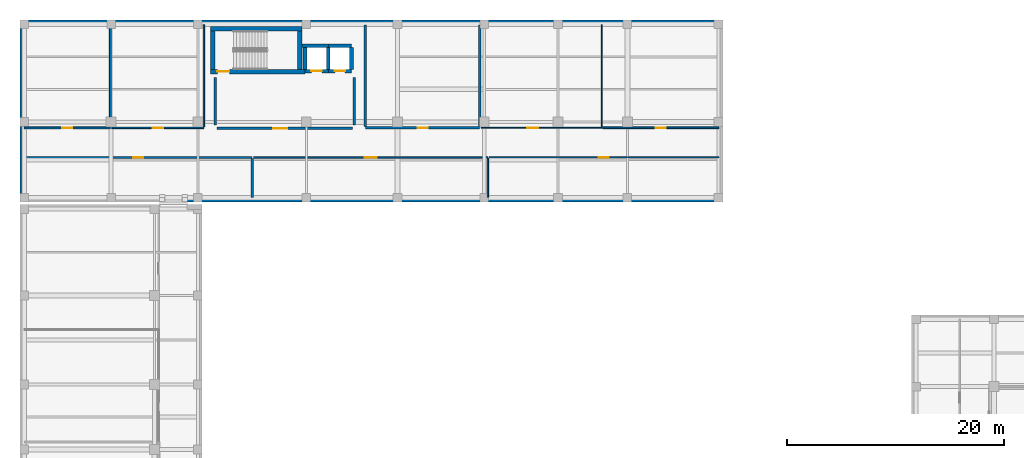
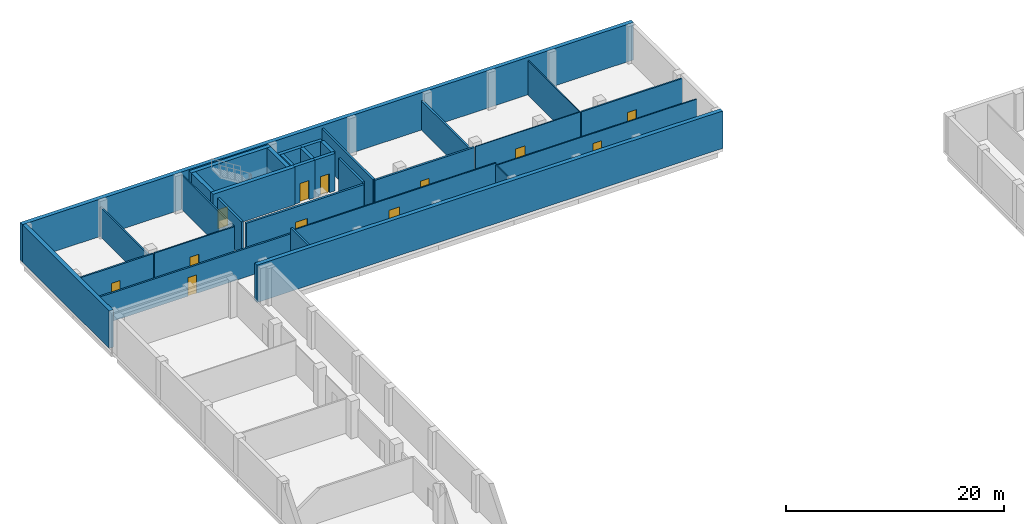
# One storey, part 21 of 31: 32 walls, 12 doors, 12 openings.
"""IFC4 building model written with IfcOpenShell, lengths in metres."""

from ifc_helpers import new_model, si_unit, direction, frame, frame_2d, origin, place, context, subcontext, project, spatial, rectangle, extrude, material, layer, layer_set, type_object, element, fill, save


model = new_model("IFC4")

# Units and contexts
model_context = context("Model", 3, precision=1e-05, world=origin(), true_north=direction((0.0, 1.0)))
body_context = subcontext(model_context, "Body", "Model", "MODEL_VIEW")
ifc_project = project(units=[si_unit("LENGTHUNIT", "METRE"), si_unit("AREAUNIT", "SQUARE_METRE"), si_unit("VOLUMEUNIT", "CUBIC_METRE"), si_unit("PLANEANGLEUNIT", "RADIAN"), si_unit("MASSUNIT", "GRAM", prefix="KILO")], contexts=[model_context])

# Site, building, storey
site_placement = place(None, origin())
site = spatial("IfcSite", under=ifc_project, at=site_placement, CompositionType="ELEMENT")
building_placement = place(site_placement, origin())
building = spatial("IfcBuilding", under=site, at=building_placement, Name="Qalavern Law Courts", CompositionType="ELEMENT")
storey_placement = place(building_placement, frame((0.0, 0.0, -4.199951171875)))
storey = spatial("IfcBuildingStorey", under=building, at=storey_placement, Name="B1", CompositionType="ELEMENT", Elevation=-4.199951171875)

# Walls
ifc_material_1 = material(Name="Concrete C35/45", Category="concrete")
ifc_layer_1 = layer(ifc_material_1, 0.429931640625)
ifc_layer_set_1 = layer_set([ifc_layer_1], Name="Concrete C35/45")
wall_type_1 = type_object("IfcWallType", Name="ENV-EW-RET430", PredefinedType="SOLIDWALL", material=ifc_layer_set_1)
wall_1_placement = place(storey_placement, frame((17.39990234375, 96.4150390625, 0.0), z_axis=(0.0, 0.0, 1.0), x_axis=(1.0, 0.0, 0.0)))
element("IfcWall", 1, at=wall_1_placement, inside=storey, type_object=wall_type_1, Name="V5 basement retaining wall B1 south", PredefinedType="SOLIDWALL", context=body_context, shape_type="SweptSolid", body=[
    extrude(rectangle(XDim=49.400146484375, YDim=0.429931640625, at=frame_2d((24.7001953125, 0.0))), origin(), (0.0, 0.0, 1.0), 4.199951171875),
])
wall_2_placement = place(storey_placement, frame((66.800048828125, 112.784912109375, 0.0), z_axis=(0.0, 0.0, 1.0), x_axis=(-1.0, 0.0, 0.0)))
element("IfcWall", 2, at=wall_2_placement, inside=storey, type_object=wall_type_1, Name="V5 basement retaining wall B1 north", PredefinedType="SOLIDWALL", context=body_context, shape_type="SweptSolid", body=[
    extrude(rectangle(XDim=64.800048828125, YDim=0.429931640625, at=frame_2d((32.39990234375, 0.0))), origin(), (0.0, 0.0, 1.0), 4.199951171875),
])
wall_3_placement = place(storey_placement, frame((2.215087890625, 112.574951171875, 0.0), z_axis=(0.0, 0.0, 1.0), x_axis=(0.0, -1.0, 0.0)))
element("IfcWall", 3, at=wall_3_placement, inside=storey, type_object=wall_type_1, Name="V5 basement retaining wall B1 west", PredefinedType="SOLIDWALL", context=body_context, shape_type="SweptSolid", body=[
    extrude(rectangle(XDim=15.949951171875, YDim=0.429931640625, at=frame_2d((7.97509765625, 0.0))), origin(), (0.0, 0.0, 1.0), 4.199951171875),
])

# Wall, opening, door
ifc_material_2 = material(Name="Concrete C45/55", Category="concrete")
ifc_layer_2 = layer(ifc_material_2, 0.4150390625)
ifc_layer_set_2 = layer_set([ifc_layer_2], Name="Concrete C45/55")
wall_type_2 = type_object("IfcWallType", Name="INT-CW-415", PredefinedType="SHEAR", material=ifc_layer_set_2)
wall_4_placement = place(storey_placement, frame((19.5849609375, 108.242431640625, 0.0), z_axis=(0.0, 0.0, 1.0), x_axis=(1.0, 0.0, 0.0)))
wall_4 = element("IfcWall", 4, at=wall_4_placement, inside=storey, type_object=wall_type_2, Name="Core K3 stair shear wall B1 south", PredefinedType="SHEAR", context=body_context, shape_type="SweptSolid", body=[
    extrude(rectangle(XDim=8.689453125, YDim=0.4150390625, at=frame_2d((4.3447265625, 0.0))), origin(), (0.0, 0.0, 1.0), 4.199951171875),
])
opening_1_placement = place(wall_4_placement, frame((0.614990234375, 0.0, 0.0)))
opening_1 = element("IfcOpeningElement", 5, at=opening_1_placement, cuts=wall_4, Name="Opening B1-D071", PredefinedType="OPENING", context=body_context, shape_type="SweptSolid", body=[
    extrude(rectangle(XDim=1.10009765625, YDim=2.14990234375, at=frame_2d((0.550048828125, 1.074951171875))), frame((0.0, 0.222412109375, 0.0), z_axis=(0.0, -1.0, 0.0), x_axis=(1.0, 0.0, 0.0)), (0.0, 0.0, 1.0), 0.44482421875),
])
ifc_material_3 = material(Name="Steel fire-rated stair enclosure door", Category="steel")
door_type_1 = type_object("IfcDoorType", Name="INT-FD-1100x2150", OperationType="NOTDEFINED", PredefinedType="DOOR", material=ifc_material_3)
door_1_placement = place(opening_1_placement, frame((1.10009765625, 0.0, 0.0), z_axis=(0.0, 0.0, 1.0), x_axis=(-1.0, 0.0, 0.0)))
door_1 = element("IfcDoor", 6, at=door_1_placement, inside=storey, type_object=door_type_1, Name="Stair K3 fire door B1", OperationType="SINGLE_SWING_RIGHT", OverallHeight=2.14990234375, OverallWidth=1.10009765625, PredefinedType="DOOR", context=body_context, shape_type="SweptSolid", body=[
    extrude(rectangle(XDim=1.10009765625, YDim=2.14990234375, at=frame_2d((0.550048828125, 1.074951171875))), frame((0.0, 0.02490234375, 0.0), z_axis=(0.0, -1.0, 0.0), x_axis=(1.0, 0.0, 0.0)), (0.0, 0.0, 1.0), 0.050048828125),
])
fill(opening_1, door_1)

# Walls
wall_5_placement = place(storey_placement, frame((27.8076171875, 108.449951171875, 0.0), z_axis=(0.0, 0.0, 1.0), x_axis=(0.0, 1.0, 0.0)))
element("IfcWall", 7, at=wall_5_placement, inside=storey, type_object=wall_type_2, Name="Core K3 stair shear wall B1 east", PredefinedType="SHEAR", context=body_context, shape_type="SweptSolid", body=[
    extrude(rectangle(XDim=3.550048828125, YDim=0.4150390625, at=frame_2d((1.77490234375, 0.0))), origin(), (0.0, 0.0, 1.0), 4.199951171875),
])
wall_6_placement = place(storey_placement, frame((28.014892578125, 112.20751953125, 0.0), z_axis=(0.0, 0.0, 1.0), x_axis=(-1.0, 0.0, 0.0)))
element("IfcWall", 8, at=wall_6_placement, inside=storey, type_object=wall_type_2, Name="Core K3 stair shear wall B1 north", PredefinedType="SHEAR", context=body_context, shape_type="SweptSolid", body=[
    extrude(rectangle(XDim=8.429931640625, YDim=0.4150390625, at=frame_2d((4.21484375, 0.0))), origin(), (0.0, 0.0, 1.0), 4.199951171875),
])
wall_7_placement = place(storey_placement, frame((19.79248046875, 112.0, 0.0), z_axis=(0.0, 0.0, 1.0), x_axis=(0.0, -1.0, 0.0)))
element("IfcWall", 9, at=wall_7_placement, inside=storey, type_object=wall_type_2, Name="Core K3 stair shear wall B1 west", PredefinedType="SHEAR", context=body_context, shape_type="SweptSolid", body=[
    extrude(rectangle(XDim=3.550048828125, YDim=0.4150390625, at=frame_2d((1.77490234375, 0.0))), origin(), (0.0, 0.0, 1.0), 4.199951171875),
])

# Wall, opening, door
ifc_material_4 = material(Name="Concrete C40/50", Category="concrete")
ifc_layer_3 = layer(ifc_material_4, 0.22509765625)
ifc_layer_set_3 = layer_set([ifc_layer_3], Name="Concrete C40/50")
wall_type_3 = type_object("IfcWallType", Name="INT-FW-225", PredefinedType="PARTITIONING", material=ifc_layer_set_3)
wall_8_placement = place(storey_placement, frame((20.14990234375, 103.0, 0.0), z_axis=(0.0, 0.0, 1.0), x_axis=(1.0, 0.0, 0.0)))
wall_8 = element("IfcWall", 10, at=wall_8_placement, inside=storey, type_object=wall_type_3, Name="Core K3 firefighting/stair lobby fire wall B1", PredefinedType="PARTITIONING", context=body_context, shape_type="SweptSolid", body=[
    extrude(rectangle(XDim=12.5, YDim=0.22509765625, at=frame_2d((6.25, 0.0))), origin(), (0.0, 0.0, 1.0), 3.85986328125),
])
opening_2_placement = place(wall_8_placement, frame((5.199951171875, 0.0, 0.0)))
opening_2 = element("IfcOpeningElement", 11, at=opening_2_placement, cuts=wall_8, Name="Opening B1-D072", PredefinedType="OPENING", context=body_context, shape_type="SweptSolid", body=[
    extrude(rectangle(XDim=1.300048828125, YDim=2.14990234375, at=frame_2d((0.64990234375, 1.074951171875))), frame((0.0, 0.12744140625, 0.0), z_axis=(0.0, -1.0, 0.0), x_axis=(1.0, 0.0, 0.0)), (0.0, 0.0, 1.0), 0.2548828125),
])
ifc_material_5 = material(Name="Steel fire-rated frame and acoustic timber leaves", Category="steel")
door_type_2 = type_object("IfcDoorType", Name="INT-FD-1300x2150", OperationType="DOUBLE_DOOR_SINGLE_SWING", PredefinedType="DOOR", material=ifc_material_5)
door_2_placement = place(opening_2_placement, origin())
door_2 = element("IfcDoor", 12, at=door_2_placement, inside=storey, type_object=door_type_2, Name="Core K3 lobby fire door B1", OperationType="DOUBLE_DOOR_SINGLE_SWING", OverallHeight=2.14990234375, OverallWidth=1.300048828125, PredefinedType="DOOR", context=body_context, shape_type="SweptSolid", body=[
    extrude(rectangle(XDim=1.300048828125, YDim=2.14990234375, at=frame_2d((0.64990234375, 1.074951171875))), frame((0.0, 0.02490234375, 0.0), z_axis=(0.0, -1.0, 0.0), x_axis=(1.0, 0.0, 0.0)), (0.0, 0.0, 1.0), 0.050048828125),
])
fill(opening_2, door_2)

# Walls
for number, where, z_axis, x_axis, name in (
    (13, (20.0, 103.300048828125, 0.0), (0.0, 0.0, 1.0), (0.0, 1.0, 0.0), "Core K3 lobby return wall B1 west"),
    (14, (32.800048828125, 103.300048828125, 0.0), (0.0, 0.0, 1.0), (0.0, 1.0, 0.0), "Core K3 lobby return wall B1 east"),
):
    element("IfcWall", number, at=place(storey_placement, frame(where, z_axis=z_axis, x_axis=x_axis)), inside=storey, type_object=wall_type_3, Name=name, PredefinedType="PARTITIONING", context=body_context, shape_type="SweptSolid", body=[
        extrude(rectangle(XDim=4.39990234375, YDim=0.22509765625, at=frame_2d((2.199951171875, 0.0))), origin(), (0.0, 0.0, 1.0), 3.85986328125),
    ])

# Wall, opening, door
ifc_material_6 = material(Name="Gypsum sanitary partition")
ifc_layer_4 = layer(ifc_material_6, 0.10205078125)
ifc_layer_set_4 = layer_set([ifc_layer_4], Name="Gypsum sanitary partition")
wall_type_4 = type_object("IfcWallType", Name="INT-PW-102", PredefinedType="PARTITIONING", material=ifc_layer_set_4)
wall_9_placement = place(storey_placement, frame((44.5048828125, 103.06005859375, 0.0), z_axis=(0.0, 0.0, 1.0), x_axis=(1.0, 0.0, 0.0)))
wall_9 = element("IfcWall", 15, at=wall_9_placement, inside=storey, type_object=wall_type_4, Name="Library Technical Processing corridor partition B1", PredefinedType="PARTITIONING", context=body_context, shape_type="SweptSolid", body=[
    extrude(rectangle(XDim=11.113037109375, YDim=0.10205078125, at=frame_2d((5.556640625, 0.0))), origin(), (0.0, 0.0, 1.0), 3.85986328125),
])
opening_3_placement = place(wall_9_placement, frame((4.241455078125, 0.0, 0.0)))
opening_3 = element("IfcOpeningElement", 16, at=opening_3_placement, cuts=wall_9, Name="Opening B1-D330", PredefinedType="OPENING", context=body_context, shape_type="SweptSolid", body=[
    extrude(rectangle(XDim=1.030029296875, YDim=2.110107421875, at=frame_2d((0.51513671875, 1.05517578125))), frame((0.0, 0.06591796875, 0.0), z_axis=(0.0, -1.0, 0.0), x_axis=(1.0, 0.0, 0.0)), (0.0, 0.0, 1.0), 0.1318359375),
])
ifc_material_7 = material(Name="Oak Mediation Suite door")
door_type_3 = type_object("IfcDoorType", Name="INT-ID-1030x2110", OperationType="NOTDEFINED", PredefinedType="DOOR", material=ifc_material_7)
door_3_placement = place(opening_3_placement, origin())
door_3 = element("IfcDoor", 17, at=door_3_placement, inside=storey, type_object=door_type_3, Name="Library Technical Processing door B1", OperationType="SINGLE_SWING_LEFT", OverallHeight=2.110107421875, OverallWidth=1.030029296875, PredefinedType="DOOR", context=body_context, shape_type="SweptSolid", body=[
    extrude(rectangle(XDim=1.030029296875, YDim=2.110107421875, at=frame_2d((0.51513671875, 1.05517578125))), frame((0.0, 0.02490234375, 0.0), z_axis=(0.0, -1.0, 0.0), x_axis=(1.0, 0.0, 0.0)), (0.0, 0.0, 1.0), 0.050048828125),
])
fill(opening_3, door_3)

# Wall
wall_10_placement = place(storey_placement, frame((55.617919921875, 103.131103515625, 0.0), z_axis=(0.0, 0.0, 1.0), x_axis=(0.0, 1.0, 0.0)))
element("IfcWall", 18, at=wall_10_placement, inside=storey, type_object=wall_type_4, Name="Library Technical Processing cross partition B1 east", PredefinedType="PARTITIONING", context=body_context, shape_type="SweptSolid", body=[
    extrude(rectangle(XDim=9.428955078125, YDim=0.10205078125, at=frame_2d((4.71435546875, 0.0))), origin(), (0.0, 0.0, 1.0), 3.85986328125),
])

# Wall, opening, door
ifc_material_8 = material(Name="Gypsum stud partition")
ifc_layer_5 = layer(ifc_material_8, 0.1220703125)
ifc_layer_set_5 = layer_set([ifc_layer_5], Name="Gypsum stud partition")
wall_type_5 = type_object("IfcWallType", Name="INT-PW-122", PredefinedType="PARTITIONING", material=ifc_layer_set_5)
wall_11_placement = place(storey_placement, frame((45.2509765625, 100.340087890625, 0.0), z_axis=(0.0, 0.0, 1.0), x_axis=(1.0, 0.0, 0.0)))
wall_11 = element("IfcWall", 19, at=wall_11_placement, inside=storey, type_object=wall_type_5, Name="Staff WC corridor partition B1", PredefinedType="PARTITIONING", context=body_context, shape_type="SweptSolid", body=[
    extrude(rectangle(XDim=21.1689453125, YDim=0.1220703125, at=frame_2d((10.58447265625, 0.0))), origin(), (0.0, 0.0, 1.0), 3.18994140625),
])
opening_4_placement = place(wall_11_placement, frame((10.12451171875, 0.0, 0.0)))
opening_4 = element("IfcOpeningElement", 20, at=opening_4_placement, cuts=wall_11, Name="Opening B1-D328", PredefinedType="OPENING", context=body_context, shape_type="SweptSolid", body=[
    extrude(rectangle(XDim=0.919921875, YDim=2.06005859375, at=frame_2d((0.4599609375, 1.030029296875))), frame((0.0, 0.075927734375, 0.0), z_axis=(0.0, -1.0, 0.0), x_axis=(1.0, 0.0, 0.0)), (0.0, 0.0, 1.0), 0.15185546875),
])
ifc_material_9 = material(Name="Public and Staff WC door")
door_type_4 = type_object("IfcDoorType", Name="INT-ID-920x2060", OperationType="NOTDEFINED", PredefinedType="DOOR", material=ifc_material_9)
door_4_placement = place(opening_4_placement, frame((0.919921875, 0.0, 0.0), z_axis=(0.0, 0.0, 1.0), x_axis=(-1.0, 0.0, 0.0)))
door_4 = element("IfcDoor", 21, at=door_4_placement, inside=storey, type_object=door_type_4, Name="Staff WC door B1", OperationType="SINGLE_SWING_LEFT", OverallHeight=2.06005859375, OverallWidth=0.919921875, PredefinedType="DOOR", context=body_context, shape_type="SweptSolid", body=[
    extrude(rectangle(XDim=0.919921875, YDim=2.06005859375, at=frame_2d((0.4599609375, 1.030029296875))), frame((0.0, 0.02490234375, 0.0), z_axis=(0.0, -1.0, 0.0), x_axis=(1.0, 0.0, 0.0)), (0.0, 0.0, 1.0), 0.050048828125),
])
fill(opening_4, door_4)

ifc_layer_6 = layer(ifc_material_8, 0.132080078125)
ifc_layer_set_6 = layer_set([ifc_layer_6], Name="Gypsum stud partition")
wall_type_6 = type_object("IfcWallType", Name="INT-PW-132", PredefinedType="PARTITIONING", material=ifc_layer_set_6)
wall_12_placement = place(storey_placement, frame((23.531982421875, 100.340087890625, 0.0), z_axis=(0.0, 0.0, 1.0), x_axis=(1.0, 0.0, 0.0)))
wall_12 = element("IfcWall", 22, at=wall_12_placement, inside=storey, type_object=wall_type_6, Name="Library Technical Processing corridor partition B1", PredefinedType="PARTITIONING", context=body_context, shape_type="SweptSolid", body=[
    extrude(rectangle(XDim=21.59912109375, YDim=0.132080078125, at=frame_2d((10.799560546875, 0.0))), origin(), (0.0, 0.0, 1.0), 3.47998046875),
])
opening_5_placement = place(wall_12_placement, frame((10.239501953125, 0.0, 0.0)))
opening_5 = element("IfcOpeningElement", 23, at=opening_5_placement, cuts=wall_12, Name="Opening B1-D327", PredefinedType="OPENING", context=body_context, shape_type="SweptSolid", body=[
    extrude(rectangle(XDim=1.1201171875, YDim=2.139892578125, at=frame_2d((0.56005859375, 1.06982421875))), frame((0.0, 0.0810546875, 0.0), z_axis=(0.0, -1.0, 0.0), x_axis=(1.0, 0.0, 0.0)), (0.0, 0.0, 1.0), 0.161865234375),
])
ifc_material_10 = material(Name="Solid oak Appellate Chambers door")
door_type_5 = type_object("IfcDoorType", Name="INT-ID-1120x2140", OperationType="NOTDEFINED", PredefinedType="DOOR", material=ifc_material_10)
door_5_placement = place(opening_5_placement, frame((1.1201171875, 0.0, 0.0), z_axis=(0.0, 0.0, 1.0), x_axis=(-1.0, 0.0, 0.0)))
door_5 = element("IfcDoor", 24, at=door_5_placement, inside=storey, type_object=door_type_5, Name="Library Technical Processing door B1", OperationType="SINGLE_SWING_RIGHT", OverallHeight=2.139892578125, OverallWidth=1.1201171875, PredefinedType="DOOR", context=body_context, shape_type="SweptSolid", body=[
    extrude(rectangle(XDim=1.1201171875, YDim=2.139892578125, at=frame_2d((0.56005859375, 1.06982421875))), frame((0.0, 0.02490234375, 0.0), z_axis=(0.0, -1.0, 0.0), x_axis=(1.0, 0.0, 0.0)), (0.0, 0.0, 1.0), 0.050048828125),
])
fill(opening_5, door_5)

# Wall
wall_13_placement = place(storey_placement, frame((45.131103515625, 96.639892578125, 0.0), z_axis=(0.0, 0.0, 1.0), x_axis=(0.0, 1.0, 0.0)))
element("IfcWall", 25, at=wall_13_placement, inside=storey, type_object=wall_type_6, Name="Library Technical Processing cross partition B1 east", PredefinedType="PARTITIONING", context=body_context, shape_type="SweptSolid", body=[
    extrude(rectangle(XDim=3.614013671875, YDim=0.132080078125, at=frame_2d((1.80712890625, 0.0))), origin(), (0.0, 0.0, 1.0), 3.2900390625),
])

# Wall, opening, door
ifc_layer_7 = layer(ifc_material_8, 0.14208984375)
ifc_layer_set_7 = layer_set([ifc_layer_7], Name="Gypsum stud partition")
wall_type_7 = type_object("IfcWallType", Name="INT-PW-142", PredefinedType="PARTITIONING", material=ifc_layer_set_7)
wall_14_placement = place(storey_placement, frame((10.455078125, 103.06005859375, 0.0), z_axis=(0.0, 0.0, 1.0), x_axis=(1.0, 0.0, 0.0)))
wall_14 = element("IfcWall", 26, at=wall_14_placement, inside=storey, type_object=wall_type_7, Name="Library Technical Processing corridor partition B1", PredefinedType="PARTITIONING", context=body_context, shape_type="SweptSolid", body=[
    extrude(rectangle(XDim=8.5048828125, YDim=0.14208984375, at=frame_2d((4.25244140625, 0.0))), origin(), (0.0, 0.0, 1.0), 3.85986328125),
])
opening_6_placement = place(wall_14_placement, frame((3.7724609375, 0.0, 0.0)))
opening_6 = element("IfcOpeningElement", 27, at=opening_6_placement, cuts=wall_14, Name="Opening B1-D333", PredefinedType="OPENING", context=body_context, shape_type="SweptSolid", body=[
    extrude(rectangle(XDim=0.9599609375, YDim=2.080078125, at=frame_2d((0.47998046875, 1.0400390625))), frame((0.0, 0.0859375, 0.0), z_axis=(0.0, -1.0, 0.0), x_axis=(1.0, 0.0, 0.0)), (0.0, 0.0, 1.0), 0.171875),
])
ifc_material_11 = material(Name="Timber Counsel Consultation door", Category="wood")
door_type_6 = type_object("IfcDoorType", Name="INT-ID-960x2080", OperationType="NOTDEFINED", PredefinedType="DOOR", material=ifc_material_11)
door_6_placement = place(opening_6_placement, origin())
door_6 = element("IfcDoor", 28, at=door_6_placement, inside=storey, type_object=door_type_6, Name="Library Technical Processing door B1", OperationType="SINGLE_SWING_RIGHT", OverallHeight=2.080078125, OverallWidth=0.9599609375, PredefinedType="DOOR", context=body_context, shape_type="SweptSolid", body=[
    extrude(rectangle(XDim=0.9599609375, YDim=2.080078125, at=frame_2d((0.47998046875, 1.0400390625))), frame((0.0, 0.02490234375, 0.0), z_axis=(0.0, -1.0, 0.0), x_axis=(1.0, 0.0, 0.0)), (0.0, 0.0, 1.0), 0.050048828125),
])
fill(opening_6, door_6)

# Wall
wall_15_placement = place(storey_placement, frame((18.9599609375, 103.15087890625, 0.0), z_axis=(0.0, 0.0, 1.0), x_axis=(0.0, 1.0, 0.0)))
element("IfcWall", 29, at=wall_15_placement, inside=storey, type_object=wall_type_7, Name="Library Technical Processing cross partition B1 east", PredefinedType="PARTITIONING", context=body_context, shape_type="SweptSolid", body=[
    extrude(rectangle(XDim=9.4091796875, YDim=0.14208984375, at=frame_2d((4.70458984375, 0.0))), origin(), (0.0, 0.0, 1.0), 3.85986328125),
])

# Wall, opening, door
ifc_layer_8 = layer(ifc_material_8, 0.162109375)
ifc_layer_set_8 = layer_set([ifc_layer_8], Name="Gypsum stud partition")
wall_type_8 = type_object("IfcWallType", Name="INT-PW-162", PredefinedType="PARTITIONING", material=ifc_layer_set_8)
wall_16_placement = place(storey_placement, frame((55.738037109375, 103.06005859375, 0.0), z_axis=(0.0, 0.0, 1.0), x_axis=(1.0, 0.0, 0.0)))
wall_16 = element("IfcWall", 30, at=wall_16_placement, inside=storey, type_object=wall_type_8, Name="Staff WC corridor partition B1", PredefinedType="PARTITIONING", context=body_context, shape_type="SweptSolid", body=[
    extrude(rectangle(XDim=10.681884765625, YDim=0.162109375, at=frame_2d((5.3408203125, 0.0))), origin(), (0.0, 0.0, 1.0), 3.85986328125),
])
opening_7_placement = place(wall_16_placement, frame((4.87109375, 0.0, 0.0)))
opening_7 = element("IfcOpeningElement", 31, at=opening_7_placement, cuts=wall_16, Name="Opening B1-D331", PredefinedType="OPENING", context=body_context, shape_type="SweptSolid", body=[
    extrude(rectangle(XDim=0.93994140625, YDim=2.070068359375, at=frame_2d((0.469970703125, 1.03515625))), frame((0.0, 0.095947265625, 0.0), z_axis=(0.0, -1.0, 0.0), x_axis=(1.0, 0.0, 0.0)), (0.0, 0.0, 1.0), 0.19189453125),
])
ifc_material_12 = material(Name="Accessible WC outward-clear door")
door_type_7 = type_object("IfcDoorType", Name="INT-ID-940x2070", OperationType="NOTDEFINED", PredefinedType="DOOR", material=ifc_material_12)
door_7_placement = place(opening_7_placement, origin())
door_7 = element("IfcDoor", 32, at=door_7_placement, inside=storey, type_object=door_type_7, Name="Staff WC door B1", OperationType="SINGLE_SWING_RIGHT", OverallHeight=2.070068359375, OverallWidth=0.93994140625, PredefinedType="DOOR", context=body_context, shape_type="SweptSolid", body=[
    extrude(rectangle(XDim=0.93994140625, YDim=2.070068359375, at=frame_2d((0.469970703125, 1.03515625))), frame((0.0, 0.02490234375, 0.0), z_axis=(0.0, -1.0, 0.0), x_axis=(1.0, 0.0, 0.0)), (0.0, 0.0, 1.0), 0.050048828125),
])
fill(opening_7, door_7)

ifc_material_13 = material(Name="Gypsum acoustic stud partition")
ifc_layer_9 = layer(ifc_material_13, 0.174072265625)
ifc_layer_set_9 = layer_set([ifc_layer_9], Name="Gypsum acoustic stud partition")
wall_type_9 = type_object("IfcWallType", Name="INT-PW-174", PredefinedType="PARTITIONING", material=ifc_layer_set_9)
wall_17_placement = place(storey_placement, frame((2.3798828125, 103.06005859375, 0.0), z_axis=(0.0, 0.0, 1.0), x_axis=(1.0, 0.0, 0.0)))
wall_17 = element("IfcWall", 33, at=wall_17_placement, inside=storey, type_object=wall_type_9, Name="Rare Jurisprudence Archive corridor partition B1", PredefinedType="PARTITIONING", context=body_context, shape_type="SweptSolid", body=[
    extrude(rectangle(XDim=7.955078125, YDim=0.174072265625, at=frame_2d((3.9775390625, 0.0))), origin(), (0.0, 0.0, 1.0), 3.85986328125),
])
opening_8_placement = place(wall_17_placement, frame((3.512451171875, 0.0, 0.0)))
opening_8 = element("IfcOpeningElement", 34, at=opening_8_placement, cuts=wall_17, Name="Opening B1-D332", PredefinedType="OPENING", context=body_context, shape_type="SweptSolid", body=[
    extrude(rectangle(XDim=0.929931640625, YDim=2.080078125, at=frame_2d((0.46484375, 1.0400390625))), frame((0.0, 0.10205078125, 0.0), z_axis=(0.0, -1.0, 0.0), x_axis=(1.0, 0.0, 0.0)), (0.0, 0.0, 1.0), 0.203857421875),
])
ifc_material_14 = material(Name="Steel Legal Archive Vault door", Category="steel")
door_type_8 = type_object("IfcDoorType", Name="INT-ID-930x2080", OperationType="NOTDEFINED", PredefinedType="DOOR", material=ifc_material_14)
door_8_placement = place(opening_8_placement, origin())
door_8 = element("IfcDoor", 35, at=door_8_placement, inside=storey, type_object=door_type_8, Name="Rare Jurisprudence Archive door B1", OperationType="SINGLE_SWING_LEFT", OverallHeight=2.080078125, OverallWidth=0.929931640625, PredefinedType="DOOR", context=body_context, shape_type="SweptSolid", body=[
    extrude(rectangle(XDim=0.929931640625, YDim=2.080078125, at=frame_2d((0.46484375, 1.0400390625))), frame((0.0, 0.02490234375, 0.0), z_axis=(0.0, -1.0, 0.0), x_axis=(1.0, 0.0, 0.0)), (0.0, 0.0, 1.0), 0.050048828125),
])
fill(opening_8, door_8)

# Wall
wall_18_placement = place(storey_placement, frame((10.3349609375, 103.1669921875, 0.0), z_axis=(0.0, 0.0, 1.0), x_axis=(0.0, 1.0, 0.0)))
element("IfcWall", 36, at=wall_18_placement, inside=storey, type_object=wall_type_9, Name="Rare Jurisprudence Archive cross partition B1 east", PredefinedType="PARTITIONING", context=body_context, shape_type="SweptSolid", body=[
    extrude(rectangle(XDim=9.39306640625, YDim=0.174072265625, at=frame_2d((4.696533203125, 0.0))), origin(), (0.0, 0.0, 1.0), 3.2900390625),
])

# Wall, opening, door
ifc_layer_10 = layer(ifc_material_13, 0.18603515625)
ifc_layer_set_10 = layer_set([ifc_layer_10], Name="Gypsum acoustic stud partition")
wall_type_10 = type_object("IfcWallType", Name="INT-PW-186", PredefinedType="PARTITIONING", material=ifc_layer_set_10)
wall_19_placement = place(storey_placement, frame((2.3798828125, 100.340087890625, 0.0), z_axis=(0.0, 0.0, 1.0), x_axis=(1.0, 0.0, 0.0)))
wall_19 = element("IfcWall", 37, at=wall_19_placement, inside=storey, type_object=wall_type_10, Name="Rare Jurisprudence Archive corridor partition B1", PredefinedType="PARTITIONING", context=body_context, shape_type="SweptSolid", body=[
    extrude(rectangle(XDim=21.0322265625, YDim=0.18603515625, at=frame_2d((10.51611328125, 0.0))), origin(), (0.0, 0.0, 1.0), 3.18994140625),
])
opening_9_placement = place(wall_19_placement, frame((10.051025390625, 0.0, 0.0)))
opening_9 = element("IfcOpeningElement", 38, at=opening_9_placement, cuts=wall_19, Name="Opening B1-D326", PredefinedType="OPENING", context=body_context, shape_type="SweptSolid", body=[
    extrude(rectangle(XDim=0.929931640625, YDim=2.080078125, at=frame_2d((0.46484375, 1.0400390625))), frame((0.0, 0.10791015625, 0.0), z_axis=(0.0, -1.0, 0.0), x_axis=(1.0, 0.0, 0.0)), (0.0, 0.0, 1.0), 0.2158203125),
])
door_9_placement = place(opening_9_placement, frame((0.929931640625, 0.0, 0.0), z_axis=(0.0, 0.0, 1.0), x_axis=(-1.0, 0.0, 0.0)))
door_9 = element("IfcDoor", 39, at=door_9_placement, inside=storey, type_object=door_type_8, Name="Rare Jurisprudence Archive door B1", OperationType="SINGLE_SWING_LEFT", OverallHeight=2.080078125, OverallWidth=0.929931640625, PredefinedType="DOOR", context=body_context, shape_type="SweptSolid", body=[
    extrude(rectangle(XDim=0.929931640625, YDim=2.080078125, at=frame_2d((0.46484375, 1.0400390625))), frame((0.0, 0.02490234375, 0.0), z_axis=(0.0, -1.0, 0.0), x_axis=(1.0, 0.0, 0.0)), (0.0, 0.0, 1.0), 0.050048828125),
])
fill(opening_9, door_9)

# Wall
wall_20_placement = place(storey_placement, frame((23.412109375, 96.639892578125, 0.0), z_axis=(0.0, 0.0, 1.0), x_axis=(0.0, 1.0, 0.0)))
element("IfcWall", 40, at=wall_20_placement, inside=storey, type_object=wall_type_10, Name="Rare Jurisprudence Archive cross partition B1 east", PredefinedType="PARTITIONING", context=body_context, shape_type="SweptSolid", body=[
    extrude(rectangle(XDim=3.587158203125, YDim=0.18603515625, at=frame_2d((1.79345703125, 0.0))), origin(), (0.0, 0.0, 1.0), 3.85986328125),
])

# Wall, opening, door
ifc_material_15 = material(Name="Gypsum acoustic double-stud partition")
ifc_layer_11 = layer(ifc_material_15, 0.2119140625)
ifc_layer_set_11 = layer_set([ifc_layer_11], Name="Gypsum acoustic double-stud partition")
wall_type_11 = type_object("IfcWallType", Name="INT-PW-212", PredefinedType="PARTITIONING", material=ifc_layer_set_11)
wall_21_placement = place(storey_placement, frame((33.840087890625, 103.06005859375, 0.0), z_axis=(0.0, 0.0, 1.0), x_axis=(1.0, 0.0, 0.0)))
wall_21 = element("IfcWall", 41, at=wall_21_placement, inside=storey, type_object=wall_type_11, Name="Rare Jurisprudence Archive corridor partition B1", PredefinedType="PARTITIONING", context=body_context, shape_type="SweptSolid", body=[
    extrude(rectangle(XDim=10.544921875, YDim=0.2119140625, at=frame_2d((5.2724609375, 0.0))), origin(), (0.0, 0.0, 1.0), 3.85986328125),
])
opening_10_placement = place(wall_21_placement, frame((4.8076171875, 0.0, 0.0)))
opening_10 = element("IfcOpeningElement", 42, at=opening_10_placement, cuts=wall_21, Name="Opening B1-D329", PredefinedType="OPENING", context=body_context, shape_type="SweptSolid", body=[
    extrude(rectangle(XDim=0.929931640625, YDim=2.080078125, at=frame_2d((0.46484375, 1.0400390625))), frame((0.0, 0.120849609375, 0.0), z_axis=(0.0, -1.0, 0.0), x_axis=(1.0, 0.0, 0.0)), (0.0, 0.0, 1.0), 0.24169921875),
])
door_10_placement = place(opening_10_placement, origin())
door_10 = element("IfcDoor", 43, at=door_10_placement, inside=storey, type_object=door_type_8, Name="Rare Jurisprudence Archive door B1", OperationType="SINGLE_SWING_RIGHT", OverallHeight=2.080078125, OverallWidth=0.929931640625, PredefinedType="DOOR", context=body_context, shape_type="SweptSolid", body=[
    extrude(rectangle(XDim=0.929931640625, YDim=2.080078125, at=frame_2d((0.46484375, 1.0400390625))), frame((0.0, 0.02490234375, 0.0), z_axis=(0.0, -1.0, 0.0), x_axis=(1.0, 0.0, 0.0)), (0.0, 0.0, 1.0), 0.050048828125),
])
fill(opening_10, door_10)

# Walls
wall_22_placement = place(storey_placement, frame((33.840087890625, 103.18603515625, 0.0), z_axis=(0.0, 0.0, 1.0), x_axis=(0.0, 1.0, 0.0)))
element("IfcWall", 44, at=wall_22_placement, inside=storey, type_object=wall_type_11, Name="Rare Jurisprudence Archive cross partition B1 west", PredefinedType="PARTITIONING", context=body_context, shape_type="SweptSolid", body=[
    extrude(rectangle(XDim=9.3740234375, YDim=0.2119140625, at=frame_2d((4.68701171875, 0.0))), origin(), (0.0, 0.0, 1.0), 3.85986328125),
])
wall_23_placement = place(storey_placement, frame((44.385009765625, 103.18603515625, 0.0), z_axis=(0.0, 0.0, 1.0), x_axis=(0.0, 1.0, 0.0)))
element("IfcWall", 45, at=wall_23_placement, inside=storey, type_object=wall_type_11, Name="Rare Jurisprudence Archive cross partition B1 east", PredefinedType="PARTITIONING", context=body_context, shape_type="SweptSolid", body=[
    extrude(rectangle(XDim=9.3740234375, YDim=0.2119140625, at=frame_2d((4.68701171875, 0.0))), origin(), (0.0, 0.0, 1.0), 3.2900390625),
])

# Wall, opening, door
ifc_layer_12 = layer(ifc_material_2, 0.344970703125)
ifc_layer_set_12 = layer_set([ifc_layer_12], Name="Concrete C45/55")
wall_type_12 = type_object("IfcWallType", Name="INT-SW-345", PredefinedType="SHEAR", material=ifc_layer_set_12)
wall_24_placement = place(storey_placement, frame((28.277587890625, 108.277587890625, 0.0), z_axis=(0.0, 0.0, 1.0), x_axis=(1.0, 0.0, 0.0)))
wall_24 = element("IfcWall", 46, at=wall_24_placement, inside=storey, type_object=wall_type_12, Name="Lift LF-J1 shaft wall B1 south", PredefinedType="SHEAR", context=body_context, shape_type="SweptSolid", body=[
    extrude(rectangle(XDim=2.14501953125, YDim=0.344970703125, at=frame_2d((1.072509765625, 0.0))), origin(), (0.0, 0.0, 1.0), 4.199951171875),
])
opening_11_placement = place(wall_24_placement, frame((0.592529296875, 0.0, 0.0)))
opening_11 = element("IfcOpeningElement", 47, at=opening_11_placement, cuts=wall_24, Name="Opening LD-LF-J1-B1", PredefinedType="OPENING", context=body_context, shape_type="SweptSolid", body=[
    extrude(rectangle(XDim=0.9599609375, YDim=2.1201171875, at=frame_2d((0.47998046875, 1.06005859375))), frame((0.0, 0.1875, 0.0), z_axis=(0.0, -1.0, 0.0), x_axis=(1.0, 0.0, 0.0)), (0.0, 0.0, 1.0), 0.374755859375),
])
ifc_material_16 = material(Name="Heavy-gauge steel judicial lift sliding landing door", Category="steel")
door_type_9 = type_object("IfcDoorType", Name="INT-LD-960x2120", OperationType="SLIDING_TO_LEFT", PredefinedType="DOOR", material=ifc_material_16)
door_11_placement = place(opening_11_placement, origin())
door_11 = element("IfcDoor", 48, at=door_11_placement, inside=storey, type_object=door_type_9, Name="Lift LF-J1 sliding landing door B1", OperationType="SLIDING_TO_LEFT", OverallHeight=2.1201171875, OverallWidth=0.9599609375, PredefinedType="DOOR", context=body_context, shape_type="SweptSolid", body=[
    extrude(rectangle(XDim=0.9599609375, YDim=2.1201171875, at=frame_2d((0.47998046875, 1.06005859375))), frame((0.0, 0.02490234375, 0.0), z_axis=(0.0, -1.0, 0.0), x_axis=(1.0, 0.0, 0.0)), (0.0, 0.0, 1.0), 0.050048828125),
])
fill(opening_11, door_11)

# Walls
wall_25_placement = place(storey_placement, frame((30.422607421875, 108.449951171875, 0.0), z_axis=(0.0, 0.0, 1.0), x_axis=(0.0, 1.0, 0.0)))
element("IfcWall", 49, at=wall_25_placement, inside=storey, type_object=wall_type_12, Name="Lift LF-J1 shaft wall B1 east", PredefinedType="SHEAR", context=body_context, shape_type="SweptSolid", body=[
    extrude(rectangle(XDim=2.0, YDim=0.344970703125, at=frame_2d((1.0, 0.0))), origin(), (0.0, 0.0, 1.0), 4.199951171875),
])
wall_26_placement = place(storey_placement, frame((30.422607421875, 110.62255859375, 0.0), z_axis=(0.0, 0.0, 1.0), x_axis=(-1.0, 0.0, 0.0)))
element("IfcWall", 50, at=wall_26_placement, inside=storey, type_object=wall_type_12, Name="Lift LF-J1 shaft wall B1 north", PredefinedType="SHEAR", context=body_context, shape_type="SweptSolid", body=[
    extrude(rectangle(XDim=2.404541015625, YDim=0.344970703125, at=frame_2d((1.2021484375, 0.0))), origin(), (0.0, 0.0, 1.0), 4.199951171875),
])
wall_27_placement = place(storey_placement, frame((28.277587890625, 110.449951171875, 0.0), z_axis=(0.0, 0.0, 1.0), x_axis=(0.0, -1.0, 0.0)))
element("IfcWall", 51, at=wall_27_placement, inside=storey, type_object=wall_type_12, Name="Lift LF-J1 shaft wall B1 west", PredefinedType="SHEAR", context=body_context, shape_type="SweptSolid", body=[
    extrude(rectangle(XDim=2.0, YDim=0.344970703125, at=frame_2d((1.0, 0.0))), origin(), (0.0, 0.0, 1.0), 4.199951171875),
])

# Wall, opening, door
wall_28_placement = place(storey_placement, frame((30.427490234375, 108.277587890625, 0.0), z_axis=(0.0, 0.0, 1.0), x_axis=(1.0, 0.0, 0.0)))
wall_28 = element("IfcWall", 52, at=wall_28_placement, inside=storey, type_object=wall_type_12, Name="Lift LF-J2 shaft wall B1 south", PredefinedType="SHEAR", context=body_context, shape_type="SweptSolid", body=[
    extrude(rectangle(XDim=2.14501953125, YDim=0.344970703125, at=frame_2d((1.072509765625, 0.0))), origin(), (0.0, 0.0, 1.0), 4.199951171875),
])
opening_12_placement = place(wall_28_placement, frame((0.592529296875, 0.0, 0.0)))
opening_12 = element("IfcOpeningElement", 53, at=opening_12_placement, cuts=wall_28, Name="Opening LD-LF-J2-B1", PredefinedType="OPENING", context=body_context, shape_type="SweptSolid", body=[
    extrude(rectangle(XDim=0.9599609375, YDim=2.1201171875, at=frame_2d((0.47998046875, 1.06005859375))), frame((0.0, 0.1875, 0.0), z_axis=(0.0, -1.0, 0.0), x_axis=(1.0, 0.0, 0.0)), (0.0, 0.0, 1.0), 0.374755859375),
])
door_12_placement = place(opening_12_placement, origin())
door_12 = element("IfcDoor", 54, at=door_12_placement, inside=storey, type_object=door_type_9, Name="Lift LF-J2 sliding landing door B1", OperationType="SLIDING_TO_LEFT", OverallHeight=2.1201171875, OverallWidth=0.9599609375, PredefinedType="DOOR", context=body_context, shape_type="SweptSolid", body=[
    extrude(rectangle(XDim=0.9599609375, YDim=2.1201171875, at=frame_2d((0.47998046875, 1.06005859375))), frame((0.0, 0.02490234375, 0.0), z_axis=(0.0, -1.0, 0.0), x_axis=(1.0, 0.0, 0.0)), (0.0, 0.0, 1.0), 0.050048828125),
])
fill(opening_12, door_12)

# Walls
wall_29_placement = place(storey_placement, frame((32.572509765625, 108.449951171875, 0.0), z_axis=(0.0, 0.0, 1.0), x_axis=(0.0, 1.0, 0.0)))
element("IfcWall", 55, at=wall_29_placement, inside=storey, type_object=wall_type_12, Name="Lift LF-J2 shaft wall B1 east", PredefinedType="SHEAR", context=body_context, shape_type="SweptSolid", body=[
    extrude(rectangle(XDim=2.0, YDim=0.344970703125, at=frame_2d((1.0, 0.0))), origin(), (0.0, 0.0, 1.0), 4.199951171875),
])
wall_30_placement = place(storey_placement, frame((32.572509765625, 110.62255859375, 0.0), z_axis=(0.0, 0.0, 1.0), x_axis=(-1.0, 0.0, 0.0)))
element("IfcWall", 56, at=wall_30_placement, inside=storey, type_object=wall_type_12, Name="Lift LF-J2 shaft wall B1 north", PredefinedType="SHEAR", context=body_context, shape_type="SweptSolid", body=[
    extrude(rectangle(XDim=2.14501953125, YDim=0.344970703125, at=frame_2d((1.072509765625, 0.0))), origin(), (0.0, 0.0, 1.0), 4.199951171875),
])

save(model, "model.ifc")
